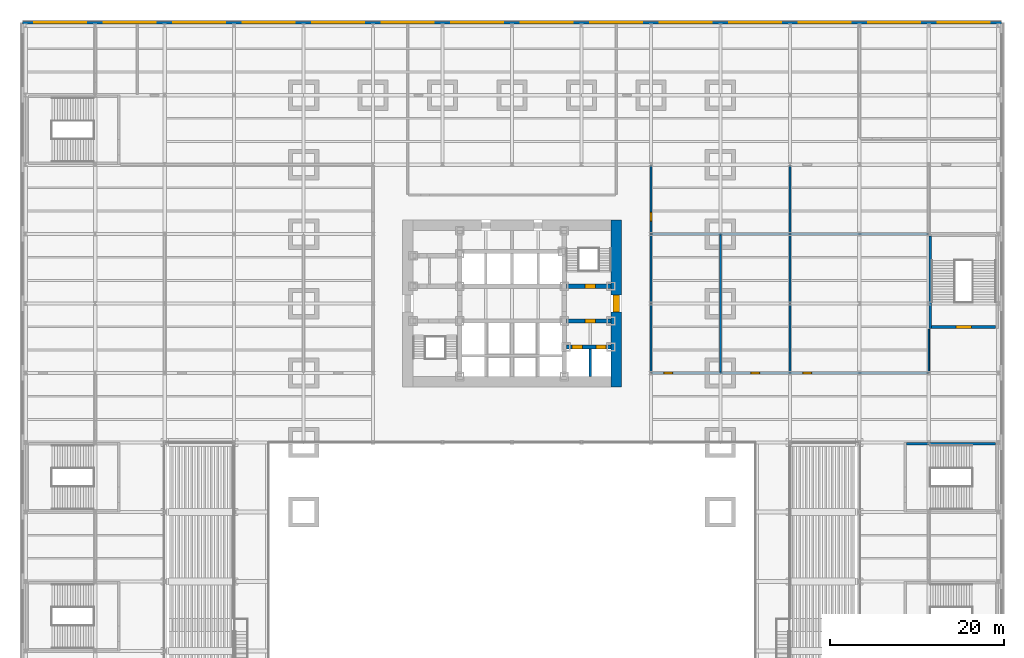
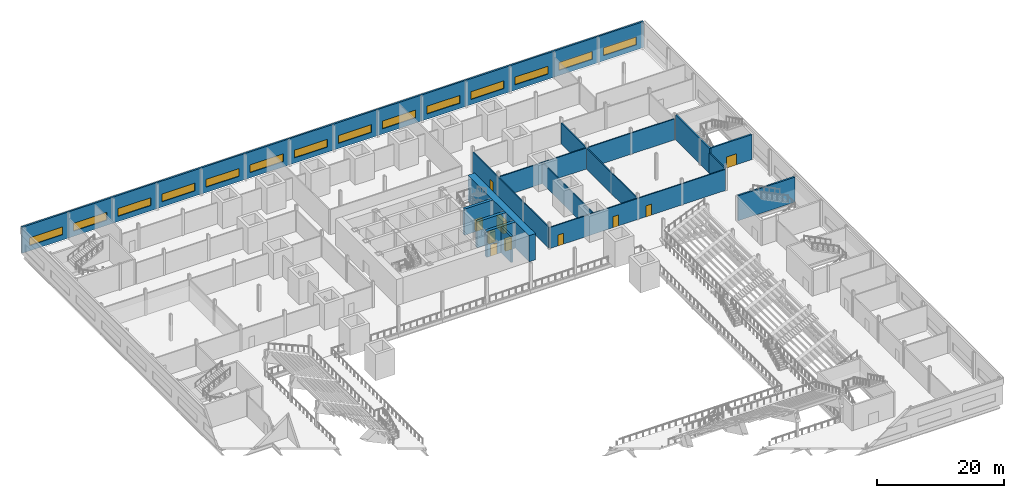
# One storey, part 17 of 27: 15 walls, 14 windows, 10 doors, 24 openings.
"""IFC4 building model written with IfcOpenShell, lengths in metres."""

from ifc_helpers import new_model, si_unit, direction, frame, frame_2d, origin, place, context, subcontext, project, spatial, rectangle, extrude, material, layer, layer_set, type_object, element, fill, save


model = new_model("IFC4")

# Units and contexts
model_context = context("Model", 3, precision=1e-05, world=origin(), true_north=direction((0.0, 1.0)))
body_context = subcontext(model_context, "Body", "Model", "MODEL_VIEW")
ifc_project = project(units=[si_unit("LENGTHUNIT", "METRE"), si_unit("AREAUNIT", "SQUARE_METRE"), si_unit("VOLUMEUNIT", "CUBIC_METRE"), si_unit("PLANEANGLEUNIT", "RADIAN"), si_unit("MASSUNIT", "GRAM", prefix="KILO")], contexts=[model_context])

# Site, building, storey
site_placement = place(None, origin())
site = spatial("IfcSite", under=ifc_project, at=site_placement, CompositionType="ELEMENT")
building_placement = place(site_placement, origin())
building = spatial("IfcBuilding", under=site, at=building_placement, Name="Daluyong Arena Tower", CompositionType="ELEMENT")
storey_placement = place(building_placement, frame((0.0, 0.0, 14.89990234375)))
storey = spatial("IfcBuildingStorey", under=building, at=storey_placement, Name="L03", CompositionType="ELEMENT", Elevation=14.89990234375)

# Wall, openings, doors
ifc_material_1 = material(Name="Concrete fc' 45 MPa", Category="concrete")
ifc_layer_1 = layer(ifc_material_1, 0.5)
ifc_layer_set_1 = layer_set([ifc_layer_1], Name="Concrete fc' 45 MPa")
wall_type_1 = type_object("IfcWallType", Name="Core inner wall 500", PredefinedType="SHEAR", material=ifc_layer_set_1)
wall_1_placement = place(storey_placement, frame((62.25, 75.0, 0.0), z_axis=(0.0, 0.0, 1.0), x_axis=(1.0, 0.0, 0.0)))
wall_1 = element("IfcWall", 1, at=wall_1_placement, inside=storey, type_object=wall_type_1, Name="core inner wall at L03", PredefinedType="SHEAR", context=body_context, shape_type="SweptSolid", body=[
    extrude(rectangle(XDim=5.14990234375, YDim=0.5, at=frame_2d((2.574951171875, 0.0))), origin(), (0.0, 0.0, 1.0), 5.0),
])
opening_1_placement = place(wall_1_placement, frame((0.64990234375, 0.0, 0.0)))
opening_1 = element("IfcOpeningElement", 2, at=opening_1_placement, cuts=wall_1, Name="Opening 03013", PredefinedType="OPENING", context=body_context, shape_type="SweptSolid", body=[
    extrude(rectangle(XDim=1.199951171875, YDim=2.199951171875, at=frame_2d((0.60009765625, 1.10009765625))), frame((0.0, 0.260009765625, 0.0), z_axis=(0.0, -1.0, 0.0), x_axis=(1.0, 0.0, 0.0)), (0.0, 0.0, 1.0), 0.52001953125),
])
opening_2_placement = place(wall_1_placement, frame((3.39990234375, 0.0, 0.0)))
opening_2 = element("IfcOpeningElement", 3, at=opening_2_placement, cuts=wall_1, Name="Opening 03014", PredefinedType="OPENING", context=body_context, shape_type="SweptSolid", body=[
    extrude(rectangle(XDim=1.199951171875, YDim=2.199951171875, at=frame_2d((0.60009765625, 1.10009765625))), frame((0.0, 0.260009765625, 0.0), z_axis=(0.0, -1.0, 0.0), x_axis=(1.0, 0.0, 0.0)), (0.0, 0.0, 1.0), 0.52001953125),
])
ifc_material_2 = material(Name="Steel door, fire rated", Category="steel")
door_type_1 = type_object("IfcDoorType", Name="Firefighting lift landing door 1200", OperationType="SLIDING_TO_LEFT", PredefinedType="DOOR", material=ifc_material_2)
door_1_placement = place(opening_1_placement, origin())
door_1 = element("IfcDoor", 4, at=door_1_placement, inside=storey, type_object=door_type_1, Name="firefighting lift landing door F1 03013", OperationType="SLIDING_TO_LEFT", OverallHeight=2.199951171875, OverallWidth=1.199951171875, PredefinedType="DOOR", context=body_context, shape_type="SweptSolid", body=[
    extrude(rectangle(XDim=1.199951171875, YDim=2.199951171875, at=frame_2d((0.60009765625, 1.10009765625))), frame((0.0, 0.249755859375, 0.0), z_axis=(0.0, -1.0, 0.0), x_axis=(1.0, 0.0, 0.0)), (0.0, 0.0, 1.0), 0.49951171875),
])
fill(opening_1, door_1)
door_2_placement = place(opening_2_placement, origin())
door_2 = element("IfcDoor", 5, at=door_2_placement, inside=storey, type_object=door_type_1, Name="firefighting lift landing door F2 03014", OperationType="SLIDING_TO_LEFT", OverallHeight=2.199951171875, OverallWidth=1.199951171875, PredefinedType="DOOR", context=body_context, shape_type="SweptSolid", body=[
    extrude(rectangle(XDim=1.199951171875, YDim=2.199951171875, at=frame_2d((0.60009765625, 1.10009765625))), frame((0.0, 0.249755859375, 0.0), z_axis=(0.0, -1.0, 0.0), x_axis=(1.0, 0.0, 0.0)), (0.0, 0.0, 1.0), 0.49951171875),
])
fill(opening_2, door_2)

# Wall, opening, door
wall_2_placement = place(storey_placement, frame((62.25, 78.0, 0.0), z_axis=(0.0, 0.0, 1.0), x_axis=(1.0, 0.0, 0.0)))
wall_2 = element("IfcWall", 6, at=wall_2_placement, inside=storey, type_object=wall_type_1, Name="core inner wall at L03", PredefinedType="SHEAR", context=body_context, shape_type="SweptSolid", body=[
    extrude(rectangle(XDim=5.14990234375, YDim=0.5, at=frame_2d((2.574951171875, 0.0))), origin(), (0.0, 0.0, 1.0), 5.0),
])
opening_3_placement = place(wall_2_placement, frame((2.14990234375, 0.0, 0.0)))
opening_3 = element("IfcOpeningElement", 7, at=opening_3_placement, cuts=wall_2, Name="Opening 03012", PredefinedType="OPENING", context=body_context, shape_type="SweptSolid", body=[
    extrude(rectangle(XDim=1.199951171875, YDim=2.10009765625, at=frame_2d((0.60009765625, 1.050048828125))), frame((0.0, 0.260009765625, 0.0), z_axis=(0.0, -1.0, 0.0), x_axis=(1.0, 0.0, 0.0)), (0.0, 0.0, 1.0), 0.52001953125),
])
ifc_material_3 = material(Name="Steel door, fire rated", Category="steel")
door_type_2 = type_object("IfcDoorType", Name="Firefighting lobby door 1200", OperationType="SINGLE_SWING_RIGHT", PredefinedType="DOOR", material=ifc_material_3)
door_3_placement = place(opening_3_placement, origin())
door_3 = element("IfcDoor", 8, at=door_3_placement, inside=storey, type_object=door_type_2, Name="firefighting lobby door 03012", OperationType="SINGLE_SWING_RIGHT", OverallHeight=2.10009765625, OverallWidth=1.199951171875, PredefinedType="DOOR", context=body_context, shape_type="SweptSolid", body=[
    extrude(rectangle(XDim=1.199951171875, YDim=2.10009765625, at=frame_2d((0.60009765625, 1.050048828125))), frame((0.0, 0.249755859375, 0.0), z_axis=(0.0, -1.0, 0.0), x_axis=(1.0, 0.0, 0.0)), (0.0, 0.0, 1.0), 0.49951171875),
])
fill(opening_3, door_3)

wall_3_placement = place(storey_placement, frame((62.25, 82.0, 0.0), z_axis=(0.0, 0.0, 1.0), x_axis=(1.0, 0.0, 0.0)))
wall_3 = element("IfcWall", 9, at=wall_3_placement, inside=storey, type_object=wall_type_1, Name="core inner wall at L03", PredefinedType="SHEAR", context=body_context, shape_type="SweptSolid", body=[
    extrude(rectangle(XDim=5.14990234375, YDim=0.5, at=frame_2d((2.574951171875, 0.0))), origin(), (0.0, 0.0, 1.0), 5.0),
])
opening_4_placement = place(wall_3_placement, frame((2.14990234375, 0.0, 0.0)))
opening_4 = element("IfcOpeningElement", 10, at=opening_4_placement, cuts=wall_3, Name="Opening 03007", PredefinedType="OPENING", context=body_context, shape_type="SweptSolid", body=[
    extrude(rectangle(XDim=1.199951171875, YDim=2.10009765625, at=frame_2d((0.60009765625, 1.050048828125))), frame((0.0, 0.260009765625, 0.0), z_axis=(0.0, -1.0, 0.0), x_axis=(1.0, 0.0, 0.0)), (0.0, 0.0, 1.0), 0.52001953125),
])
ifc_material_4 = material(Name="Steel door, fire rated", Category="steel")
door_type_3 = type_object("IfcDoorType", Name="Stair door 1200", OperationType="SINGLE_SWING_LEFT", PredefinedType="DOOR", material=ifc_material_4)
door_4_placement = place(opening_4_placement, origin())
door_4 = element("IfcDoor", 11, at=door_4_placement, inside=storey, type_object=door_type_3, Name="stair B door 03007", OperationType="SINGLE_SWING_LEFT", OverallHeight=2.10009765625, OverallWidth=1.199951171875, PredefinedType="DOOR", context=body_context, shape_type="SweptSolid", body=[
    extrude(rectangle(XDim=1.199951171875, YDim=2.10009765625, at=frame_2d((0.60009765625, 1.050048828125))), frame((0.0, 0.249755859375, 0.0), z_axis=(0.0, -1.0, 0.0), x_axis=(1.0, 0.0, 0.0)), (0.0, 0.0, 1.0), 0.49951171875),
])
fill(opening_4, door_4)

ifc_material_5 = material(Name="Concrete fc' 60 MPa", Category="concrete")
ifc_layer_2 = layer(ifc_material_5, 1.199951171875)
ifc_layer_set_2 = layer_set([ifc_layer_2], Name="Concrete fc' 60 MPa")
wall_type_2 = type_object("IfcWallType", Name="Core wall 1200", PredefinedType="SHEAR", material=ifc_layer_set_2)
wall_4_placement = place(storey_placement, frame((68.0, 70.39990234375, 0.0), z_axis=(0.0, 0.0, 1.0), x_axis=(0.0, 1.0, 0.0)))
wall_4 = element("IfcWall", 12, at=wall_4_placement, inside=storey, type_object=wall_type_2, Name="core wall at L03", PredefinedType="SHEAR", context=body_context, shape_type="SweptSolid", body=[
    extrude(rectangle(XDim=19.2001953125, YDim=1.199951171875, at=frame_2d((9.60009765625, 0.0))), origin(), (0.0, 0.0, 1.0), 5.0),
])
opening_5_placement = place(wall_4_placement, frame((8.60009765625, 0.0, 0.0)))
opening_5 = element("IfcOpeningElement", 13, at=opening_5_placement, cuts=wall_4, Name="Opening 03009", PredefinedType="OPENING", context=body_context, shape_type="SweptSolid", body=[
    extrude(rectangle(XDim=2.0, YDim=2.39990234375, at=frame_2d((1.0, 1.199951171875))), frame((0.0, 0.60986328125, 0.0), z_axis=(0.0, -1.0, 0.0), x_axis=(1.0, 0.0, 0.0)), (0.0, 0.0, 1.0), 1.219970703125),
])
ifc_material_6 = material(Name="Steel door, fire rated", Category="steel")
door_type_4 = type_object("IfcDoorType", Name="Core lobby double door 2000", OperationType="DOUBLE_DOOR_SINGLE_SWING", PredefinedType="DOOR", material=ifc_material_6)
door_5_placement = place(opening_5_placement, origin())
door_5 = element("IfcDoor", 14, at=door_5_placement, inside=storey, type_object=door_type_4, Name="core lobby door east 03009", OperationType="DOUBLE_DOOR_SINGLE_SWING", OverallHeight=2.39990234375, OverallWidth=2.0, PredefinedType="DOOR", context=body_context, shape_type="SweptSolid", body=[
    extrude(rectangle(XDim=2.0, YDim=2.39990234375, at=frame_2d((1.0, 1.199951171875))), frame((0.0, 0.35009765625, 0.0), z_axis=(0.0, -1.0, 0.0), x_axis=(1.0, 0.0, 0.0)), (0.0, 0.0, 1.0), 0.699951171875),
])
fill(opening_5, door_5)

# Wall
ifc_material_7 = material(Name="Concrete fc' 45 MPa", Category="concrete")
ifc_layer_3 = layer(ifc_material_7, 0.300048828125)
ifc_layer_set_3 = layer_set([ifc_layer_3], Name="Concrete fc' 45 MPa")
wall_type_3 = type_object("IfcWallType", Name="Lift shaft wall 300", PredefinedType="SHEAR", material=ifc_layer_set_3)
wall_5_placement = place(storey_placement, frame((65.0, 71.60009765625, 0.0), z_axis=(0.0, 0.0, 1.0), x_axis=(0.0, 1.0, 0.0)))
element("IfcWall", 15, at=wall_5_placement, inside=storey, type_object=wall_type_3, Name="lift shaft wall at L03", PredefinedType="SHEAR", context=body_context, shape_type="SweptSolid", body=[
    extrude(rectangle(XDim=3.14990234375, YDim=0.300048828125, at=frame_2d((1.574951171875, 0.0))), origin(), (0.0, 0.0, 1.0), 5.0),
])

# Wall, openings, doors
ifc_material_8 = material(Name="Concrete block partition", Category="concrete")
ifc_layer_4 = layer(ifc_material_8, 0.199951171875)
ifc_layer_set_4 = layer_set([ifc_layer_4], Name="Concrete block partition")
wall_type_4 = type_object("IfcWallType", Name="Partition 200", PredefinedType="PARTITIONING", material=ifc_layer_set_4)
wall_6_placement = place(storey_placement, frame((72.10009765625, 72.0, 0.0), z_axis=(0.0, 0.0, 1.0), x_axis=(1.0, 0.0, 0.0)))
wall_6 = element("IfcWall", 16, at=wall_6_placement, inside=storey, type_object=wall_type_4, Name="partition at L03", PredefinedType="PARTITIONING", context=body_context, shape_type="SweptSolid", body=[
    extrude(rectangle(XDim=31.7998046875, YDim=0.199951171875, at=frame_2d((15.89990234375, 0.0))), origin(), (0.0, 0.0, 1.0), 4.02783203125),
])
opening_6_placement = place(wall_6_placement, frame((1.39990234375, 0.0, 0.0)))
opening_6 = element("IfcOpeningElement", 17, at=opening_6_placement, cuts=wall_6, Name="Opening 03045", PredefinedType="OPENING", context=body_context, shape_type="SweptSolid", body=[
    extrude(rectangle(XDim=1.0, YDim=2.10009765625, at=frame_2d((0.5, 1.050048828125))), frame((0.0, 0.10986328125, 0.0), z_axis=(0.0, -1.0, 0.0), x_axis=(1.0, 0.0, 0.0)), (0.0, 0.0, 1.0), 0.219970703125),
])
opening_7_placement = place(wall_6_placement, frame((11.39990234375, 0.0, 0.0)))
opening_7 = element("IfcOpeningElement", 18, at=opening_7_placement, cuts=wall_6, Name="Opening 03046", PredefinedType="OPENING", context=body_context, shape_type="SweptSolid", body=[
    extrude(rectangle(XDim=1.0, YDim=2.10009765625, at=frame_2d((0.5, 1.050048828125))), frame((0.0, 0.10986328125, 0.0), z_axis=(0.0, -1.0, 0.0), x_axis=(1.0, 0.0, 0.0)), (0.0, 0.0, 1.0), 0.219970703125),
])
opening_8_placement = place(wall_6_placement, frame((17.39990234375, 0.0, 0.0)))
opening_8 = element("IfcOpeningElement", 19, at=opening_8_placement, cuts=wall_6, Name="Opening 03047", PredefinedType="OPENING", context=body_context, shape_type="SweptSolid", body=[
    extrude(rectangle(XDim=1.0, YDim=2.10009765625, at=frame_2d((0.5, 1.050048828125))), frame((0.0, 0.10986328125, 0.0), z_axis=(0.0, -1.0, 0.0), x_axis=(1.0, 0.0, 0.0)), (0.0, 0.0, 1.0), 0.219970703125),
])
ifc_material_9 = material(Name="Timber door", Category="wood")
door_type_5 = type_object("IfcDoorType", Name="Room door 1000", OperationType="SINGLE_SWING_LEFT", PredefinedType="DOOR", material=ifc_material_9)
door_6_placement = place(opening_6_placement, origin())
door_6 = element("IfcDoor", 20, at=door_6_placement, inside=storey, type_object=door_type_5, Name="lighting and sound workshop door 03045", OperationType="SINGLE_SWING_LEFT", OverallHeight=2.10009765625, OverallWidth=1.0, PredefinedType="DOOR", context=body_context, shape_type="SweptSolid", body=[
    extrude(rectangle(XDim=1.0, YDim=2.10009765625, at=frame_2d((0.5, 1.050048828125))), frame((0.0, 0.099609375, 0.0), z_axis=(0.0, -1.0, 0.0), x_axis=(1.0, 0.0, 0.0)), (0.0, 0.0, 1.0), 0.199462890625),
])
fill(opening_6, door_6)
door_7_placement = place(opening_7_placement, origin())
door_7 = element("IfcDoor", 21, at=door_7_placement, inside=storey, type_object=door_type_5, Name="lighting and sound workshop door 03046", OperationType="SINGLE_SWING_LEFT", OverallHeight=2.10009765625, OverallWidth=1.0, PredefinedType="DOOR", context=body_context, shape_type="SweptSolid", body=[
    extrude(rectangle(XDim=1.0, YDim=2.10009765625, at=frame_2d((0.5, 1.050048828125))), frame((0.0, 0.099609375, 0.0), z_axis=(0.0, -1.0, 0.0), x_axis=(1.0, 0.0, 0.0)), (0.0, 0.0, 1.0), 0.199462890625),
])
fill(opening_7, door_7)
door_8_placement = place(opening_8_placement, origin())
door_8 = element("IfcDoor", 22, at=door_8_placement, inside=storey, type_object=door_type_5, Name="arena maintenance workshop door 03047", OperationType="SINGLE_SWING_LEFT", OverallHeight=2.10009765625, OverallWidth=1.0, PredefinedType="DOOR", context=body_context, shape_type="SweptSolid", body=[
    extrude(rectangle(XDim=1.0, YDim=2.10009765625, at=frame_2d((0.5, 1.050048828125))), frame((0.0, 0.099609375, 0.0), z_axis=(0.0, -1.0, 0.0), x_axis=(1.0, 0.0, 0.0)), (0.0, 0.0, 1.0), 0.199462890625),
])
fill(opening_8, door_8)

# Wall
wall_7_placement = place(storey_placement, frame((72.10009765625, 88.0, 0.0), z_axis=(0.0, 0.0, 1.0), x_axis=(1.0, 0.0, 0.0)))
element("IfcWall", 23, at=wall_7_placement, inside=storey, type_object=wall_type_4, Name="partition at L03", PredefinedType="PARTITIONING", context=body_context, shape_type="SweptSolid", body=[
    extrude(rectangle(XDim=31.7998046875, YDim=0.199951171875, at=frame_2d((15.89990234375, 0.0))), origin(), (0.0, 0.0, 1.0), 4.02783203125),
])

# Wall, opening, door
wall_8_placement = place(storey_placement, frame((72.0, 72.10009765625, 0.0), z_axis=(0.0, 0.0, 1.0), x_axis=(0.0, 1.0, 0.0)))
wall_8 = element("IfcWall", 24, at=wall_8_placement, inside=storey, type_object=wall_type_4, Name="partition at L03", PredefinedType="PARTITIONING", context=body_context, shape_type="SweptSolid", body=[
    extrude(rectangle(XDim=23.7998046875, YDim=0.199951171875, at=frame_2d((11.89990234375, 0.0))), origin(), (0.0, 0.0, 1.0), 4.02783203125),
])
opening_9_placement = place(wall_8_placement, frame((17.39990234375, 0.0, 0.0)))
opening_9 = element("IfcOpeningElement", 25, at=opening_9_placement, cuts=wall_8, Name="Opening 03048", PredefinedType="OPENING", context=body_context, shape_type="SweptSolid", body=[
    extrude(rectangle(XDim=1.0, YDim=2.10009765625, at=frame_2d((0.5, 1.050048828125))), frame((0.0, 0.10986328125, 0.0), z_axis=(0.0, -1.0, 0.0), x_axis=(1.0, 0.0, 0.0)), (0.0, 0.0, 1.0), 0.219970703125),
])
door_9_placement = place(opening_9_placement, origin())
door_9 = element("IfcDoor", 26, at=door_9_placement, inside=storey, type_object=door_type_5, Name="uniform laundry room door 03048", OperationType="SINGLE_SWING_LEFT", OverallHeight=2.10009765625, OverallWidth=1.0, PredefinedType="DOOR", context=body_context, shape_type="SweptSolid", body=[
    extrude(rectangle(XDim=1.0, YDim=2.10009765625, at=frame_2d((0.5, 1.050048828125))), frame((0.0, 0.099609375, 0.0), z_axis=(0.0, -1.0, 0.0), x_axis=(1.0, 0.0, 0.0)), (0.0, 0.0, 1.0), 0.199462890625),
])
fill(opening_9, door_9)

# Walls
wall_9_placement = place(storey_placement, frame((80.0, 72.10009765625, 0.0), z_axis=(0.0, 0.0, 1.0), x_axis=(0.0, 1.0, 0.0)))
element("IfcWall", 27, at=wall_9_placement, inside=storey, type_object=wall_type_4, Name="partition at L03", PredefinedType="PARTITIONING", context=body_context, shape_type="SweptSolid", body=[
    extrude(rectangle(XDim=15.7998046875, YDim=0.199951171875, at=frame_2d((7.89990234375, 0.0))), origin(), (0.0, 0.0, 1.0), 4.02783203125),
])
wall_10_placement = place(storey_placement, frame((88.0, 72.10009765625, 0.0), z_axis=(0.0, 0.0, 1.0), x_axis=(0.0, 1.0, 0.0)))
element("IfcWall", 28, at=wall_10_placement, inside=storey, type_object=wall_type_4, Name="partition at L03", PredefinedType="PARTITIONING", context=body_context, shape_type="SweptSolid", body=[
    extrude(rectangle(XDim=23.7998046875, YDim=0.199951171875, at=frame_2d((11.89990234375, 0.0))), origin(), (0.0, 0.0, 1.0), 4.02783203125),
])
wall_11_placement = place(storey_placement, frame((104.0, 72.10009765625, 0.0), z_axis=(0.0, 0.0, 1.0), x_axis=(0.0, 1.0, 0.0)))
element("IfcWall", 29, at=wall_11_placement, inside=storey, type_object=wall_type_4, Name="partition at L03", PredefinedType="PARTITIONING", context=body_context, shape_type="SweptSolid", body=[
    extrude(rectangle(XDim=4.949951171875, YDim=0.199951171875, at=frame_2d((2.47509765625, 0.0))), origin(), (0.0, 0.0, 1.0), 4.02783203125),
])

# Wall, openings, windows
ifc_material_10 = material(Name="Precast concrete fc' 45 MPa", Category="concrete")
ifc_layer_5 = layer(ifc_material_10, 0.300048828125)
ifc_layer_set_5 = layer_set([ifc_layer_5], Name="Precast concrete fc' 45 MPa")
wall_type_5 = type_object("IfcWallType", Name="Podium precast band wall 300", PredefinedType="SOLIDWALL", material=ifc_layer_set_5)
wall_12_placement = place(storey_placement, frame((112.35009765625, 112.35009765625, 0.0), z_axis=(0.0, 0.0, 1.0), x_axis=(-1.0, 0.0, 0.0)))
wall_12 = element("IfcWall", 30, at=wall_12_placement, inside=storey, type_object=wall_type_5, Name="podium wall N L03", PredefinedType="SOLIDWALL", context=body_context, shape_type="SweptSolid", body=[
    extrude(rectangle(XDim=112.7001953125, YDim=0.300048828125, at=frame_2d((56.35009765625, 0.0))), origin(), (0.0, 0.0, 1.0), 5.0),
])
opening_10_placement = place(wall_12_placement, frame((1.35009765625, 0.0, 1.0)))
opening_10 = element("IfcOpeningElement", 31, at=opening_10_placement, cuts=wall_12, Name="Opening W1", PredefinedType="OPENING", context=body_context, shape_type="SweptSolid", body=[
    extrude(rectangle(XDim=6.0, YDim=1.5, at=frame_2d((3.0, 0.75))), frame((0.0, 0.159912109375, 0.0), z_axis=(0.0, -1.0, 0.0), x_axis=(1.0, 0.0, 0.0)), (0.0, 0.0, 1.0), 0.320068359375),
])
opening_11_placement = place(wall_12_placement, frame((9.35009765625, 0.0, 1.0)))
opening_11 = element("IfcOpeningElement", 32, at=opening_11_placement, cuts=wall_12, Name="Opening W1", PredefinedType="OPENING", context=body_context, shape_type="SweptSolid", body=[
    extrude(rectangle(XDim=6.0, YDim=1.5, at=frame_2d((3.0, 0.75))), frame((0.0, 0.159912109375, 0.0), z_axis=(0.0, -1.0, 0.0), x_axis=(1.0, 0.0, 0.0)), (0.0, 0.0, 1.0), 0.320068359375),
])
opening_12_placement = place(wall_12_placement, frame((17.35009765625, 0.0, 1.0)))
opening_12 = element("IfcOpeningElement", 33, at=opening_12_placement, cuts=wall_12, Name="Opening W1", PredefinedType="OPENING", context=body_context, shape_type="SweptSolid", body=[
    extrude(rectangle(XDim=6.0, YDim=1.5, at=frame_2d((3.0, 0.75))), frame((0.0, 0.159912109375, 0.0), z_axis=(0.0, -1.0, 0.0), x_axis=(1.0, 0.0, 0.0)), (0.0, 0.0, 1.0), 0.320068359375),
])
opening_13_placement = place(wall_12_placement, frame((25.35009765625, 0.0, 1.0)))
opening_13 = element("IfcOpeningElement", 34, at=opening_13_placement, cuts=wall_12, Name="Opening W1", PredefinedType="OPENING", context=body_context, shape_type="SweptSolid", body=[
    extrude(rectangle(XDim=6.0, YDim=1.5, at=frame_2d((3.0, 0.75))), frame((0.0, 0.159912109375, 0.0), z_axis=(0.0, -1.0, 0.0), x_axis=(1.0, 0.0, 0.0)), (0.0, 0.0, 1.0), 0.320068359375),
])
opening_14_placement = place(wall_12_placement, frame((33.35009765625, 0.0, 1.0)))
opening_14 = element("IfcOpeningElement", 35, at=opening_14_placement, cuts=wall_12, Name="Opening W1", PredefinedType="OPENING", context=body_context, shape_type="SweptSolid", body=[
    extrude(rectangle(XDim=6.0, YDim=1.5, at=frame_2d((3.0, 0.75))), frame((0.0, 0.159912109375, 0.0), z_axis=(0.0, -1.0, 0.0), x_axis=(1.0, 0.0, 0.0)), (0.0, 0.0, 1.0), 0.320068359375),
])
opening_15_placement = place(wall_12_placement, frame((41.35009765625, 0.0, 1.0)))
opening_15 = element("IfcOpeningElement", 36, at=opening_15_placement, cuts=wall_12, Name="Opening W1", PredefinedType="OPENING", context=body_context, shape_type="SweptSolid", body=[
    extrude(rectangle(XDim=6.0, YDim=1.5, at=frame_2d((3.0, 0.75))), frame((0.0, 0.159912109375, 0.0), z_axis=(0.0, -1.0, 0.0), x_axis=(1.0, 0.0, 0.0)), (0.0, 0.0, 1.0), 0.320068359375),
])
opening_16_placement = place(wall_12_placement, frame((49.35009765625, 0.0, 1.0)))
opening_16 = element("IfcOpeningElement", 37, at=opening_16_placement, cuts=wall_12, Name="Opening W1", PredefinedType="OPENING", context=body_context, shape_type="SweptSolid", body=[
    extrude(rectangle(XDim=6.0, YDim=1.5, at=frame_2d((3.0, 0.75))), frame((0.0, 0.159912109375, 0.0), z_axis=(0.0, -1.0, 0.0), x_axis=(1.0, 0.0, 0.0)), (0.0, 0.0, 1.0), 0.320068359375),
])
opening_17_placement = place(wall_12_placement, frame((57.35009765625, 0.0, 1.0)))
opening_17 = element("IfcOpeningElement", 38, at=opening_17_placement, cuts=wall_12, Name="Opening W1", PredefinedType="OPENING", context=body_context, shape_type="SweptSolid", body=[
    extrude(rectangle(XDim=6.0, YDim=1.5, at=frame_2d((3.0, 0.75))), frame((0.0, 0.159912109375, 0.0), z_axis=(0.0, -1.0, 0.0), x_axis=(1.0, 0.0, 0.0)), (0.0, 0.0, 1.0), 0.320068359375),
])
opening_18_placement = place(wall_12_placement, frame((65.35009765625, 0.0, 1.0)))
opening_18 = element("IfcOpeningElement", 39, at=opening_18_placement, cuts=wall_12, Name="Opening W1", PredefinedType="OPENING", context=body_context, shape_type="SweptSolid", body=[
    extrude(rectangle(XDim=6.0, YDim=1.5, at=frame_2d((3.0, 0.75))), frame((0.0, 0.159912109375, 0.0), z_axis=(0.0, -1.0, 0.0), x_axis=(1.0, 0.0, 0.0)), (0.0, 0.0, 1.0), 0.320068359375),
])
opening_19_placement = place(wall_12_placement, frame((73.35009765625, 0.0, 1.0)))
opening_19 = element("IfcOpeningElement", 40, at=opening_19_placement, cuts=wall_12, Name="Opening W1", PredefinedType="OPENING", context=body_context, shape_type="SweptSolid", body=[
    extrude(rectangle(XDim=6.0, YDim=1.5, at=frame_2d((3.0, 0.75))), frame((0.0, 0.159912109375, 0.0), z_axis=(0.0, -1.0, 0.0), x_axis=(1.0, 0.0, 0.0)), (0.0, 0.0, 1.0), 0.320068359375),
])
opening_20_placement = place(wall_12_placement, frame((81.35009765625, 0.0, 1.0)))
opening_20 = element("IfcOpeningElement", 41, at=opening_20_placement, cuts=wall_12, Name="Opening W1", PredefinedType="OPENING", context=body_context, shape_type="SweptSolid", body=[
    extrude(rectangle(XDim=6.0, YDim=1.5, at=frame_2d((3.0, 0.75))), frame((0.0, 0.159912109375, 0.0), z_axis=(0.0, -1.0, 0.0), x_axis=(1.0, 0.0, 0.0)), (0.0, 0.0, 1.0), 0.320068359375),
])
opening_21_placement = place(wall_12_placement, frame((89.35009765625, 0.0, 1.0)))
opening_21 = element("IfcOpeningElement", 42, at=opening_21_placement, cuts=wall_12, Name="Opening W1", PredefinedType="OPENING", context=body_context, shape_type="SweptSolid", body=[
    extrude(rectangle(XDim=6.0, YDim=1.5, at=frame_2d((3.0, 0.75))), frame((0.0, 0.159912109375, 0.0), z_axis=(0.0, -1.0, 0.0), x_axis=(1.0, 0.0, 0.0)), (0.0, 0.0, 1.0), 0.320068359375),
])
opening_22_placement = place(wall_12_placement, frame((97.35009765625, 0.0, 1.0)))
opening_22 = element("IfcOpeningElement", 43, at=opening_22_placement, cuts=wall_12, Name="Opening W1", PredefinedType="OPENING", context=body_context, shape_type="SweptSolid", body=[
    extrude(rectangle(XDim=6.0, YDim=1.5, at=frame_2d((3.0, 0.75))), frame((0.0, 0.159912109375, 0.0), z_axis=(0.0, -1.0, 0.0), x_axis=(1.0, 0.0, 0.0)), (0.0, 0.0, 1.0), 0.320068359375),
])
opening_23_placement = place(wall_12_placement, frame((105.35009765625, 0.0, 1.0)))
opening_23 = element("IfcOpeningElement", 44, at=opening_23_placement, cuts=wall_12, Name="Opening W1", PredefinedType="OPENING", context=body_context, shape_type="SweptSolid", body=[
    extrude(rectangle(XDim=6.0, YDim=1.5, at=frame_2d((3.0, 0.75))), frame((0.0, 0.159912109375, 0.0), z_axis=(0.0, -1.0, 0.0), x_axis=(1.0, 0.0, 0.0)), (0.0, 0.0, 1.0), 0.320068359375),
])
ifc_material_11 = material(Name="Bronze aluminium window, tinted glass", Category="aluminium")
window_type = type_object("IfcWindowType", Name="Ribbon window 6000x1500", PartitioningType="TRIPLE_PANEL_HORIZONTAL", PredefinedType="WINDOW", material=ifc_material_11)
window_1_placement = place(opening_10_placement, origin())
window_1 = element("IfcWindow", 45, at=window_1_placement, inside=storey, type_object=window_type, Name="ribbon window N", OverallHeight=1.5, OverallWidth=6.0, PartitioningType="SINGLE_PANEL", PredefinedType="WINDOW", context=body_context, shape_type="SweptSolid", body=[
    extrude(rectangle(XDim=6.0, YDim=1.5, at=frame_2d((3.0, 0.75))), frame((0.0, 0.030029296875, 0.0), z_axis=(0.0, -1.0, 0.0), x_axis=(1.0, 0.0, 0.0)), (0.0, 0.0, 1.0), 0.06005859375),
])
fill(opening_10, window_1)
window_2_placement = place(opening_11_placement, origin())
window_2 = element("IfcWindow", 46, at=window_2_placement, inside=storey, type_object=window_type, Name="ribbon window N", OverallHeight=1.5, OverallWidth=6.0, PartitioningType="SINGLE_PANEL", PredefinedType="WINDOW", context=body_context, shape_type="SweptSolid", body=[
    extrude(rectangle(XDim=6.0, YDim=1.5, at=frame_2d((3.0, 0.75))), frame((0.0, 0.030029296875, 0.0), z_axis=(0.0, -1.0, 0.0), x_axis=(1.0, 0.0, 0.0)), (0.0, 0.0, 1.0), 0.06005859375),
])
fill(opening_11, window_2)
window_3_placement = place(opening_12_placement, origin())
window_3 = element("IfcWindow", 47, at=window_3_placement, inside=storey, type_object=window_type, Name="ribbon window N", OverallHeight=1.5, OverallWidth=6.0, PartitioningType="SINGLE_PANEL", PredefinedType="WINDOW", context=body_context, shape_type="SweptSolid", body=[
    extrude(rectangle(XDim=6.0, YDim=1.5, at=frame_2d((3.0, 0.75))), frame((0.0, 0.030029296875, 0.0), z_axis=(0.0, -1.0, 0.0), x_axis=(1.0, 0.0, 0.0)), (0.0, 0.0, 1.0), 0.06005859375),
])
fill(opening_12, window_3)
window_4_placement = place(opening_13_placement, origin())
window_4 = element("IfcWindow", 48, at=window_4_placement, inside=storey, type_object=window_type, Name="ribbon window N", OverallHeight=1.5, OverallWidth=6.0, PartitioningType="SINGLE_PANEL", PredefinedType="WINDOW", context=body_context, shape_type="SweptSolid", body=[
    extrude(rectangle(XDim=6.0, YDim=1.5, at=frame_2d((3.0, 0.75))), frame((0.0, 0.030029296875, 0.0), z_axis=(0.0, -1.0, 0.0), x_axis=(1.0, 0.0, 0.0)), (0.0, 0.0, 1.0), 0.06005859375),
])
fill(opening_13, window_4)
window_5_placement = place(opening_14_placement, origin())
window_5 = element("IfcWindow", 49, at=window_5_placement, inside=storey, type_object=window_type, Name="ribbon window N", OverallHeight=1.5, OverallWidth=6.0, PartitioningType="SINGLE_PANEL", PredefinedType="WINDOW", context=body_context, shape_type="SweptSolid", body=[
    extrude(rectangle(XDim=6.0, YDim=1.5, at=frame_2d((3.0, 0.75))), frame((0.0, 0.030029296875, 0.0), z_axis=(0.0, -1.0, 0.0), x_axis=(1.0, 0.0, 0.0)), (0.0, 0.0, 1.0), 0.06005859375),
])
fill(opening_14, window_5)
window_6_placement = place(opening_15_placement, origin())
window_6 = element("IfcWindow", 50, at=window_6_placement, inside=storey, type_object=window_type, Name="ribbon window N", OverallHeight=1.5, OverallWidth=6.0, PartitioningType="SINGLE_PANEL", PredefinedType="WINDOW", context=body_context, shape_type="SweptSolid", body=[
    extrude(rectangle(XDim=6.0, YDim=1.5, at=frame_2d((3.0, 0.75))), frame((0.0, 0.030029296875, 0.0), z_axis=(0.0, -1.0, 0.0), x_axis=(1.0, 0.0, 0.0)), (0.0, 0.0, 1.0), 0.06005859375),
])
fill(opening_15, window_6)
window_7_placement = place(opening_16_placement, origin())
window_7 = element("IfcWindow", 51, at=window_7_placement, inside=storey, type_object=window_type, Name="ribbon window N", OverallHeight=1.5, OverallWidth=6.0, PartitioningType="SINGLE_PANEL", PredefinedType="WINDOW", context=body_context, shape_type="SweptSolid", body=[
    extrude(rectangle(XDim=6.0, YDim=1.5, at=frame_2d((3.0, 0.75))), frame((0.0, 0.030029296875, 0.0), z_axis=(0.0, -1.0, 0.0), x_axis=(1.0, 0.0, 0.0)), (0.0, 0.0, 1.0), 0.06005859375),
])
fill(opening_16, window_7)
window_8_placement = place(opening_17_placement, origin())
window_8 = element("IfcWindow", 52, at=window_8_placement, inside=storey, type_object=window_type, Name="ribbon window N", OverallHeight=1.5, OverallWidth=6.0, PartitioningType="SINGLE_PANEL", PredefinedType="WINDOW", context=body_context, shape_type="SweptSolid", body=[
    extrude(rectangle(XDim=6.0, YDim=1.5, at=frame_2d((3.0, 0.75))), frame((0.0, 0.030029296875, 0.0), z_axis=(0.0, -1.0, 0.0), x_axis=(1.0, 0.0, 0.0)), (0.0, 0.0, 1.0), 0.06005859375),
])
fill(opening_17, window_8)
window_9_placement = place(opening_18_placement, origin())
window_9 = element("IfcWindow", 53, at=window_9_placement, inside=storey, type_object=window_type, Name="ribbon window N", OverallHeight=1.5, OverallWidth=6.0, PartitioningType="SINGLE_PANEL", PredefinedType="WINDOW", context=body_context, shape_type="SweptSolid", body=[
    extrude(rectangle(XDim=6.0, YDim=1.5, at=frame_2d((3.0, 0.75))), frame((0.0, 0.030029296875, 0.0), z_axis=(0.0, -1.0, 0.0), x_axis=(1.0, 0.0, 0.0)), (0.0, 0.0, 1.0), 0.06005859375),
])
fill(opening_18, window_9)
window_10_placement = place(opening_19_placement, origin())
window_10 = element("IfcWindow", 54, at=window_10_placement, inside=storey, type_object=window_type, Name="ribbon window N", OverallHeight=1.5, OverallWidth=6.0, PartitioningType="SINGLE_PANEL", PredefinedType="WINDOW", context=body_context, shape_type="SweptSolid", body=[
    extrude(rectangle(XDim=6.0, YDim=1.5, at=frame_2d((3.0, 0.75))), frame((0.0, 0.030029296875, 0.0), z_axis=(0.0, -1.0, 0.0), x_axis=(1.0, 0.0, 0.0)), (0.0, 0.0, 1.0), 0.06005859375),
])
fill(opening_19, window_10)
window_11_placement = place(opening_20_placement, origin())
window_11 = element("IfcWindow", 55, at=window_11_placement, inside=storey, type_object=window_type, Name="ribbon window N", OverallHeight=1.5, OverallWidth=6.0, PartitioningType="SINGLE_PANEL", PredefinedType="WINDOW", context=body_context, shape_type="SweptSolid", body=[
    extrude(rectangle(XDim=6.0, YDim=1.5, at=frame_2d((3.0, 0.75))), frame((0.0, 0.030029296875, 0.0), z_axis=(0.0, -1.0, 0.0), x_axis=(1.0, 0.0, 0.0)), (0.0, 0.0, 1.0), 0.06005859375),
])
fill(opening_20, window_11)
window_12_placement = place(opening_21_placement, origin())
window_12 = element("IfcWindow", 56, at=window_12_placement, inside=storey, type_object=window_type, Name="ribbon window N", OverallHeight=1.5, OverallWidth=6.0, PartitioningType="SINGLE_PANEL", PredefinedType="WINDOW", context=body_context, shape_type="SweptSolid", body=[
    extrude(rectangle(XDim=6.0, YDim=1.5, at=frame_2d((3.0, 0.75))), frame((0.0, 0.030029296875, 0.0), z_axis=(0.0, -1.0, 0.0), x_axis=(1.0, 0.0, 0.0)), (0.0, 0.0, 1.0), 0.06005859375),
])
fill(opening_21, window_12)
window_13_placement = place(opening_22_placement, origin())
window_13 = element("IfcWindow", 57, at=window_13_placement, inside=storey, type_object=window_type, Name="ribbon window N", OverallHeight=1.5, OverallWidth=6.0, PartitioningType="SINGLE_PANEL", PredefinedType="WINDOW", context=body_context, shape_type="SweptSolid", body=[
    extrude(rectangle(XDim=6.0, YDim=1.5, at=frame_2d((3.0, 0.75))), frame((0.0, 0.030029296875, 0.0), z_axis=(0.0, -1.0, 0.0), x_axis=(1.0, 0.0, 0.0)), (0.0, 0.0, 1.0), 0.06005859375),
])
fill(opening_22, window_13)
window_14_placement = place(opening_23_placement, origin())
window_14 = element("IfcWindow", 58, at=window_14_placement, inside=storey, type_object=window_type, Name="ribbon window N", OverallHeight=1.5, OverallWidth=6.0, PartitioningType="SINGLE_PANEL", PredefinedType="WINDOW", context=body_context, shape_type="SweptSolid", body=[
    extrude(rectangle(XDim=6.0, YDim=1.5, at=frame_2d((3.0, 0.75))), frame((0.0, 0.030029296875, 0.0), z_axis=(0.0, -1.0, 0.0), x_axis=(1.0, 0.0, 0.0)), (0.0, 0.0, 1.0), 0.06005859375),
])
fill(opening_23, window_14)

# Wall
ifc_material_12 = material(Name="Concrete fc' 35 MPa", Category="concrete")
ifc_layer_6 = layer(ifc_material_12, 0.300048828125)
ifc_layer_set_6 = layer_set([ifc_layer_6], Name="Concrete fc' 35 MPa")
wall_type_6 = type_object("IfcWallType", Name="Stair enclosure wall 300", PredefinedType="SOLIDWALL", material=ifc_layer_set_6)
wall_13_placement = place(storey_placement, frame((104.14990234375, 77.14990234375, 0.0), z_axis=(0.0, 0.0, 1.0), x_axis=(0.0, 1.0, 0.0)))
element("IfcWall", 59, at=wall_13_placement, inside=storey, type_object=wall_type_6, Name="exit stair PS6 enclosure", PredefinedType="SOLIDWALL", context=body_context, shape_type="SweptSolid", body=[
    extrude(rectangle(XDim=10.641845703125, YDim=0.300048828125, at=frame_2d((5.32080078125, 0.0))), origin(), (0.0, 0.0, 1.0), 4.800048828125),
])

# Wall, opening, door
wall_14_placement = place(storey_placement, frame((104.300048828125, 77.300048828125, 0.0), z_axis=(0.0, 0.0, 1.0), x_axis=(1.0, 0.0, 0.0)))
wall_14 = element("IfcWall", 60, at=wall_14_placement, inside=storey, type_object=wall_type_6, Name="exit stair PS6 enclosure", PredefinedType="SOLIDWALL", context=body_context, shape_type="SweptSolid", body=[
    extrude(rectangle(XDim=7.39990234375, YDim=0.300048828125, at=frame_2d((3.699951171875, 0.0))), origin(), (0.0, 0.0, 1.0), 4.800048828125),
])
opening_24_placement = place(wall_14_placement, frame((2.800048828125, 0.0, 0.0)))
opening_24 = element("IfcOpeningElement", 61, at=opening_24_placement, cuts=wall_14, Name="Opening 03020", PredefinedType="OPENING", context=body_context, shape_type="SweptSolid", body=[
    extrude(rectangle(XDim=1.800048828125, YDim=2.10009765625, at=frame_2d((0.89990234375, 1.050048828125))), frame((0.0, 0.159912109375, 0.0), z_axis=(0.0, -1.0, 0.0), x_axis=(1.0, 0.0, 0.0)), (0.0, 0.0, 1.0), 0.320068359375),
])
ifc_material_13 = material(Name="Steel door, fire rated", Category="steel")
door_type_6 = type_object("IfcDoorType", Name="Exit stair double door 1800", OperationType="DOUBLE_DOOR_SINGLE_SWING", PredefinedType="DOOR", material=ifc_material_13)
door_10_placement = place(opening_24_placement, origin())
door_10 = element("IfcDoor", 62, at=door_10_placement, inside=storey, type_object=door_type_6, Name="exit stair PS6 door 03020", OperationType="DOUBLE_DOOR_SINGLE_SWING", OverallHeight=2.10009765625, OverallWidth=1.800048828125, PredefinedType="DOOR", context=body_context, shape_type="SweptSolid", body=[
    extrude(rectangle(XDim=1.800048828125, YDim=2.10009765625, at=frame_2d((0.89990234375, 1.050048828125))), frame((0.0, 0.14990234375, 0.0), z_axis=(0.0, -1.0, 0.0), x_axis=(1.0, 0.0, 0.0)), (0.0, 0.0, 1.0), 0.299560546875),
])
fill(opening_24, door_10)

# Wall
wall_15_placement = place(storey_placement, frame((101.449951171875, 63.85009765625, 0.0), z_axis=(0.0, 0.0, 1.0), x_axis=(1.0, 0.0, 0.0)))
element("IfcWall", 63, at=wall_15_placement, inside=storey, type_object=wall_type_6, Name="exit stair PS8 enclosure", PredefinedType="SOLIDWALL", context=body_context, shape_type="SweptSolid", body=[
    extrude(rectangle(XDim=10.25, YDim=0.300048828125, at=frame_2d((5.125, 0.0))), origin(), (0.0, 0.0, 1.0), 4.800048828125),
])

save(model, "model.ifc")
